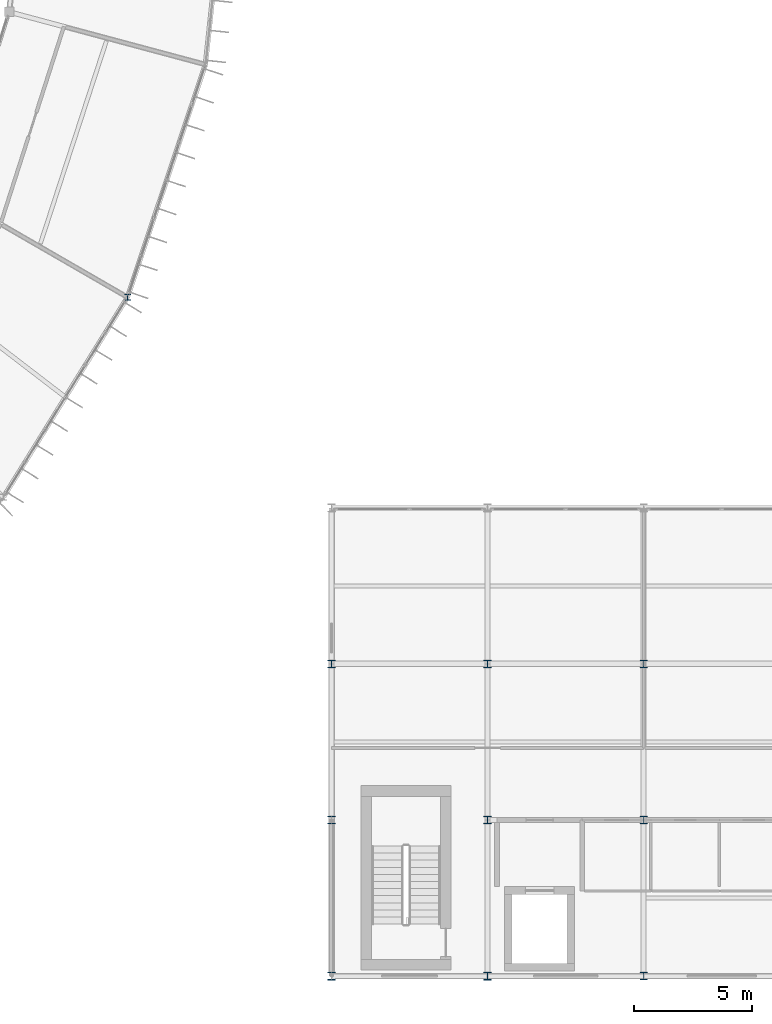
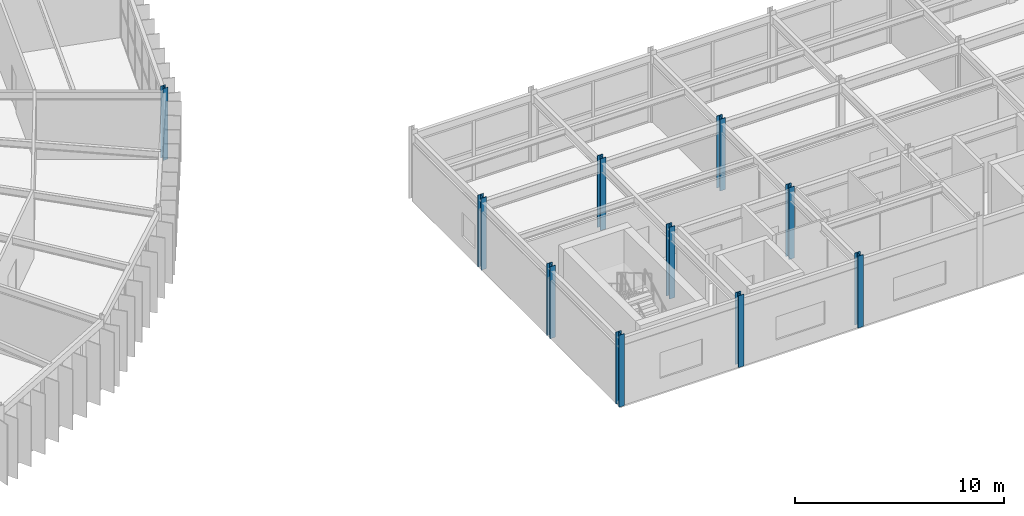
# One storey, part 4 of 106: 10 columns.
"""IFC4 building model written with IfcOpenShell, lengths in metres."""

from ifc_helpers import new_model, si_unit, direction, frame, origin, origin_2d, place, context, subcontext, project, spatial, i_section, extrude, material, material_profile, profile_set, type_object, element, save


model = new_model("IFC4")

# Units and contexts
model_context = context("Model", 3, precision=1e-05, world=origin(), true_north=direction((0.0, 1.0)))
body_context = subcontext(model_context, "Body", "Model", "MODEL_VIEW")
ifc_project = project(units=[si_unit("LENGTHUNIT", "METRE"), si_unit("AREAUNIT", "SQUARE_METRE"), si_unit("VOLUMEUNIT", "CUBIC_METRE"), si_unit("PLANEANGLEUNIT", "RADIAN"), si_unit("MASSUNIT", "GRAM", prefix="KILO")], contexts=[model_context])

# Site, building, storey
site_placement = place(None, origin())
site = spatial("IfcSite", under=ifc_project, at=site_placement, CompositionType="ELEMENT")
building_placement = place(site_placement, origin())
building = spatial("IfcBuilding", under=site, at=building_placement, Name="Karori Crest Natural Sciences Institute", CompositionType="ELEMENT")
storey_placement = place(building_placement, frame((0.0, 0.0, 25.89990234375)))
storey = spatial("IfcBuildingStorey", under=building, at=storey_placement, Name="L06", CompositionType="ELEMENT", Elevation=25.89990234375)

# Columns
ifc_material = material(Name="Structural steel AS/NZS 3679.1 Grade 350", Category="steel")
ifc_material_profile_1 = material_profile(ifc_material, i_section(OverallWidth=0.31103515625, OverallDepth=0.326904296875, WebThickness=0.015625, FlangeThickness=0.02490234375, FilletRadius=0.01708984375, at=origin_2d()), Name="310UC158")
ifc_profile_set_1 = profile_set([ifc_material_profile_1], Name="Structural steel AS/NZS 3679.1 Grade 350")
column_type_1 = type_object("IfcColumnType", Name="CT-04", PredefinedType="COLUMN", material=ifc_profile_set_1)
for number, where, z_axis, x_axis, name in (
    (1, (103.60009765625, 0.800048828125, 0.0), (0.0, 0.0, 1.0), (1.0, 0.0, 0.0), "Column C-1024"),
    (2, (103.60009765625, 7.39990234375, 0.0), (0.0, 0.0, 1.0), (1.0, 0.0, 0.0), "Column C-1036"),
    (3, (103.60009765625, 14.0, 0.0), (0.0, 0.0, 1.0), (1.0, 0.0, 0.0), "Column C-1048"),
    (4, (110.199951171875, 0.800048828125, 0.0), (0.0, 0.0, 1.0), (1.0, 0.0, 0.0), "Column C-1072"),
    (5, (116.800048828125, 0.800048828125, 0.0), (0.0, 0.0, 1.0), (1.0, 0.0, 0.0), "Column C-1120"),
):
    element("IfcColumn", number, at=place(storey_placement, frame(where, z_axis=z_axis, x_axis=x_axis)), inside=storey, type_object=column_type_1, Name=name, PredefinedType="COLUMN", context=body_context, shape_type="SweptSolid", body=[
        extrude(i_section(OverallWidth=0.31103515625, OverallDepth=0.326904296875, WebThickness=0.015625, FlangeThickness=0.02490234375, FilletRadius=0.01708984375, at=origin_2d()), origin(), (0.0, 0.0, 1.0), 4.2001953125),
    ])
ifc_material_profile_2 = material_profile(ifc_material, i_section(OverallWidth=0.31103515625, OverallDepth=0.326904296875, WebThickness=0.015625, FlangeThickness=0.02490234375, FilletRadius=0.01708984375, at=origin_2d()), Name="310UC158")
ifc_profile_set_2 = profile_set([ifc_material_profile_2], Name="Structural steel AS/NZS 3679.1 Grade 350")
column_type_2 = type_object("IfcColumnType", Name="CT-04-IL", PredefinedType="COLUMN", material=ifc_profile_set_2)
for number, where, z_axis, x_axis, name in (
    (6, (110.199951171875, 7.39990234375, 0.0), (0.0, 0.0, 1.0), (1.0, 0.0, 0.0), "Column C-1084"),
    (7, (110.199951171875, 14.0, 0.0), (0.0, 0.0, 1.0), (1.0, 0.0, 0.0), "Column C-1096"),
    (8, (116.800048828125, 7.39990234375, 0.0), (0.0, 0.0, 1.0), (1.0, 0.0, 0.0), "Column C-1132"),
    (9, (116.800048828125, 14.0, 0.0), (0.0, 0.0, 1.0), (1.0, 0.0, 0.0), "Column C-1144"),
):
    element("IfcColumn", number, at=place(storey_placement, frame(where, z_axis=z_axis, x_axis=x_axis)), inside=storey, type_object=column_type_2, Name=name, PredefinedType="COLUMN", context=body_context, shape_type="SweptSolid", body=[
        extrude(i_section(OverallWidth=0.31103515625, OverallDepth=0.326904296875, WebThickness=0.015625, FlangeThickness=0.02490234375, FilletRadius=0.01708984375, at=origin_2d()), origin(), (0.0, 0.0, 1.0), 4.2001953125),
    ])
ifc_material_profile_3 = material_profile(ifc_material, i_section(OverallWidth=0.25390625, OverallDepth=0.25390625, WebThickness=0.008544921875, FlangeThickness=0.01416015625, FilletRadius=0.013916015625, at=origin_2d()), Name="250UC72.9")
ifc_profile_set_3 = profile_set([ifc_material_profile_3], Name="Structural steel AS/NZS 3679.1 Grade 350")
column_type_3 = type_object("IfcColumnType", Name="CT-07", PredefinedType="COLUMN", material=ifc_profile_set_3)
column_placement = place(storey_placement, frame((94.978759765625, 29.5, 0.0), z_axis=(0.0, 0.0, 1.0), x_axis=(1.0, 0.0, 0.0)))
element("IfcColumn", 10, at=column_placement, inside=storey, type_object=column_type_3, Name="Column C-0375", PredefinedType="COLUMN", context=body_context, shape_type="SweptSolid", body=[
    extrude(i_section(OverallWidth=0.25390625, OverallDepth=0.25390625, WebThickness=0.008544921875, FlangeThickness=0.01416015625, FilletRadius=0.013916015625, at=origin_2d()), origin(), (0.0, 0.0, 1.0), 4.2001953125),
])

save(model, "model.ifc")
